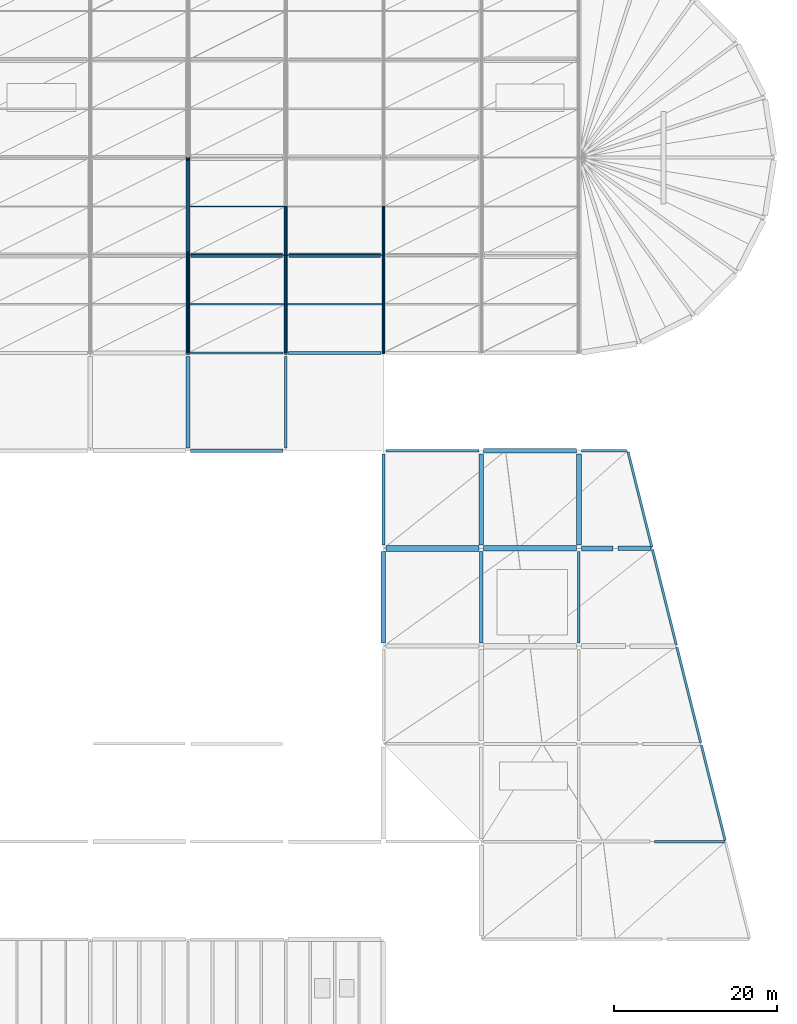
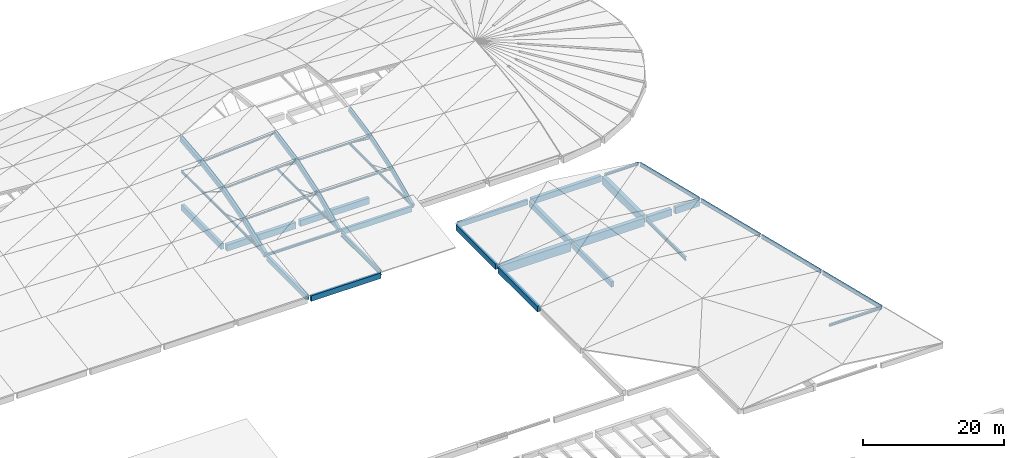
# One storey, part 13 of 23: 41 beams, 20 members.
"""IFC4 building model written with IfcOpenShell, lengths in metres."""

import ifcopenshell
import ifcopenshell.guid

model = None  # the IFC model being written
_history = None  # IfcOwnerHistory: only IFC2X3 demands one
_inside = {}  # id of a spatial element -> (the spatial element, [elements in it])
_under = {}  # id of a project, library or spatial element -> (it, [spatial elements below it])
_declared = {}  # id of a project -> (the project, [libraries it declares])
_typed = {}  # id of a type object -> (the type object, [elements of that type])
_made_of = {}  # id of a material, layer set ... -> (it, [elements and type objects made of it])


def new_model(schema):
    """Start an empty IFC model of exactly this schema.

    Asked for "IFC4X3", IfcOpenShell would pick the latest addendum, in which some entities
    have other attributes; the version numbers below select the first issue.
    IFC2X3 requires an IfcOwnerHistory on every rooted entity: one is made here for all.
    """
    global model, _history
    if schema == "IFC4X3":
        model = ifcopenshell.file(schema_version=(4, 3, 0, 0))
    else:
        model = ifcopenshell.file(schema=schema)
    _inside.clear()
    _under.clear()
    _declared.clear()
    _typed.clear()
    _made_of.clear()
    _history = None
    if model.schema == "IFC2X3":
        org = make("IfcOrganization", Name="unknown")
        user = make(
            "IfcPersonAndOrganization",
            ThePerson=make("IfcPerson", FamilyName="unknown"),
            TheOrganization=org,
        )
        app = make(
            "IfcApplication",
            ApplicationDeveloper=org,
            Version="unknown",
            ApplicationFullName="unknown",
            ApplicationIdentifier="unknown",
        )
        _history = make(
            "IfcOwnerHistory",
            OwningUser=user,
            OwningApplication=app,
            ChangeAction="ADDED",
            CreationDate=0,
        )
    return model


def make(cls, **values):
    """One entity of the class cls with the attributes given. An attribute that is None is left unset."""
    return model.create_entity(
        cls, **{name: value for name, value in values.items() if value is not None}
    )


def rooted(cls, **values):
    """An entity with a GlobalId (a new one), such as an element, a storey or a relation."""
    return make(cls, GlobalId=ifcopenshell.guid.new(), OwnerHistory=_history, **values)


def si_unit(unit_type, name, prefix=None):
    """IfcSIUnit, for example si_unit("LENGTHUNIT", "METRE", prefix="MILLI")."""
    return make("IfcSIUnit", UnitType=unit_type, Prefix=prefix, Name=name)


def assignment(units):
    """IfcUnitAssignment: the units of a project."""
    return None if units is None else make("IfcUnitAssignment", Units=units)


def point(xyz):
    """IfcCartesianPoint."""
    return None if xyz is None else make("IfcCartesianPoint", Coordinates=xyz)


def direction(xyz):
    """IfcDirection."""
    return None if xyz is None else make("IfcDirection", DirectionRatios=xyz)


def frame(location, z_axis=None, x_axis=None):
    """IfcAxis2Placement3D, a coordinate frame: its origin and axes. An axis left out is left unset."""
    return make(
        "IfcAxis2Placement3D",
        Location=point(location),
        Axis=direction(z_axis),
        RefDirection=direction(x_axis),
    )


def frame_2d(location, x_axis=None):
    """IfcAxis2Placement2D, a coordinate frame in the plane: its origin and x axis."""
    return make(
        "IfcAxis2Placement2D", Location=point(location), RefDirection=direction(x_axis)
    )


def origin():
    """The frame at (0, 0, 0) with its axes left unset."""
    return frame((0.0, 0.0, 0.0))


def origin_2d():
    """The frame at (0, 0) in the plane with its x axis left unset."""
    return frame_2d((0.0, 0.0))


def place(relative_to, where):
    """IfcLocalPlacement: puts the frame where relative to a parent placement (None: the world)."""
    return make(
        "IfcLocalPlacement", PlacementRelTo=relative_to, RelativePlacement=where
    )


def context(
    kind, dimensions, precision=None, world=None, true_north=None, identifier=None
):
    """IfcGeometricRepresentationContext, for example the 3D "Model" context."""
    return make(
        "IfcGeometricRepresentationContext",
        ContextIdentifier=identifier,
        ContextType=kind,
        CoordinateSpaceDimension=dimensions,
        Precision=precision,
        WorldCoordinateSystem=world,
        TrueNorth=true_north,
    )


def subcontext(parent, identifier, kind, view, scale=None):
    """IfcGeometricRepresentationSubContext, for example "Body" below "Model"."""
    return make(
        "IfcGeometricRepresentationSubContext",
        ContextIdentifier=identifier,
        ContextType=kind,
        ParentContext=parent,
        TargetScale=scale,
        TargetView=view,
    )


def project(units=None, contexts=None):
    """IfcProject with its units and contexts."""
    return rooted(
        "IfcProject",
        Name="project",
        RepresentationContexts=contexts,
        UnitsInContext=assignment(units),
    )


def spatial(cls, under=None, at=None, **own):
    """A site, building, storey or space (cls), placed at a placement, below another one or the project."""
    s = rooted(cls, ObjectPlacement=at, **own)
    if under is not None:
        _under.setdefault(under.id(), (under, []))[1].append(s)
    return s


def profile(cls, at=None, kind="AREA", **sizes):
    """A parametric profile (cls). Its sizes go by their IFC names, for example OverallWidth=200.0."""
    return make(cls, ProfileType=kind, Position=at, **sizes)


def rectangle(**sizes):
    """IfcRectangleProfileDef."""
    return profile("IfcRectangleProfileDef", **sizes)


def hollow_circle(**sizes):
    """IfcCircleHollowProfileDef."""
    return profile("IfcCircleHollowProfileDef", **sizes)


def i_section(**sizes):
    """IfcIShapeProfileDef."""
    return profile("IfcIShapeProfileDef", **sizes)


def extrude(swept, where, along, depth):
    """IfcExtrudedAreaSolid: the profile swept, set in the frame where, extruded along a direction by depth."""
    return make(
        "IfcExtrudedAreaSolid",
        SweptArea=swept,
        Position=where,
        ExtrudedDirection=direction(along),
        Depth=depth,
    )


def shape(context_of_items, identifier, shape_type, items):
    """IfcShapeRepresentation: the items that make up one representation, for example the "Body"."""
    return make(
        "IfcShapeRepresentation",
        ContextOfItems=context_of_items,
        RepresentationIdentifier=identifier,
        RepresentationType=shape_type,
        Items=items,
    )


def material(Name=None, Category=None):
    """IfcMaterial."""
    return make("IfcMaterial", Name=Name, Category=Category)


def material_profile(
    of_material, cross_section, Name=None, Category=None, Priority=None
):
    """IfcMaterialProfile: a cross section and its material."""
    return make(
        "IfcMaterialProfile",
        Name=Name,
        Material=of_material,
        Profile=cross_section,
        Priority=Priority,
        Category=Category,
    )


def profile_set(profiles, Name=None, composite=None):
    """IfcMaterialProfileSet."""
    return make(
        "IfcMaterialProfileSet",
        Name=Name,
        MaterialProfiles=profiles,
        CompositeProfile=composite,
    )


def made_of(thing, what):
    """Note that an element or type object is made of a material, layer set ...; save() writes the relation."""
    if what is not None:
        _made_of.setdefault(what.id(), (what, []))[1].append(thing)
    return thing


def type_object(cls, material=None, **own):
    """A type object (cls), such as IfcWallType, which elements share."""
    return made_of(rooted(cls, **own), material)


def element(
    cls,
    number,
    at=None,
    inside=None,
    cuts=None,
    type_object=None,
    material=None,
    context=None,
    identifier="Body",
    shape_type=None,
    held_by="IfcProductDefinitionShape",
    body=None,
    shapes=None,
    **own,
):
    """One element of the class cls, such as IfcWall. Its Tag is "e" and its number.

    at: its placement. inside: the storey or other place that contains it. cuts: it is an
    opening in that element (IfcRelVoidsElement). A single representation is given by context,
    identifier, shape_type and body (its items); several are given by shapes. held_by: the class
    of the entity that holds the representations. save() writes the other relations.
    """
    e = rooted(cls, Tag="e%d" % number, ObjectPlacement=at, **own)
    if body is not None:
        shapes = [shape(context, identifier, shape_type, body)]
    if shapes is not None:
        e.Representation = make(held_by, Representations=shapes)
    if inside is not None:
        _inside.setdefault(inside.id(), (inside, []))[1].append(e)
    if cuts is not None:
        rooted(
            "IfcRelVoidsElement", RelatingBuildingElement=cuts, RelatedOpeningElement=e
        )
    if type_object is not None:
        _typed.setdefault(type_object.id(), (type_object, []))[1].append(e)
    return made_of(e, material)


def aggregate(whole, parts):
    """IfcRelAggregates: a whole, such as a stair, and the parts it consists of."""
    return rooted("IfcRelAggregates", RelatingObject=whole, RelatedObjects=parts)


def save(model, path):
    """Write the relations noted so far, then the file.

    IfcRelAggregates (storeys below a building ...), IfcRelContainedInSpatialStructure (elements
    in a storey), IfcRelDefinesByType, IfcRelAssociatesMaterial and IfcRelDeclares: one each for
    every whole, place, type object, material and project.
    """
    for whole, parts in _under.values():
        aggregate(whole, parts)
    for where, things in _inside.values():
        rooted(
            "IfcRelContainedInSpatialStructure",
            RelatedElements=things,
            RelatingStructure=where,
        )
    for kind, things in _typed.values():
        rooted("IfcRelDefinesByType", RelatedObjects=things, RelatingType=kind)
    for what, things in _made_of.values():
        rooted("IfcRelAssociatesMaterial", RelatedObjects=things, RelatingMaterial=what)
    for by, libraries in _declared.values():
        rooted("IfcRelDeclares", RelatingContext=by, RelatedDefinitions=libraries)
    model.write(path)


model = new_model("IFC4")

# Units and contexts
model_context = context("Model", 3, precision=1e-05, world=origin(), true_north=direction((0.0, 1.0)))
body_context = subcontext(model_context, "Body", "Model", "MODEL_VIEW")
ifc_project = project(units=[si_unit("LENGTHUNIT", "METRE"), si_unit("AREAUNIT", "SQUARE_METRE"), si_unit("VOLUMEUNIT", "CUBIC_METRE"), si_unit("PLANEANGLEUNIT", "RADIAN"), si_unit("MASSUNIT", "GRAM", prefix="KILO")], contexts=[model_context])

# Site, building, storey
site_placement = place(None, origin())
site = spatial("IfcSite", under=ifc_project, at=site_placement, CompositionType="ELEMENT")
building_placement = place(site_placement, origin())
building = spatial("IfcBuilding", under=site, at=building_placement, Name="Kamomehara Wholesale Market", CompositionType="ELEMENT")
storey_placement = place(building_placement, frame((0.0, 0.0, 21.0)))
storey = spatial("IfcBuildingStorey", under=building, at=storey_placement, Name="RF", CompositionType="ELEMENT", Elevation=21.0)

# Beams
ifc_material_1 = material(Name="Precast concrete Fc45 (C40/50)", Category="concrete")
ifc_material_profile_1 = material_profile(ifc_material_1, rectangle(XDim=0.5, YDim=1.0, at=origin_2d()), Name="PC-GRD-500x1000")
ifc_profile_set_1 = profile_set([ifc_material_profile_1], Name="Precast concrete Fc45 (C40/50)")
beam_type_1 = type_object("IfcBeamType", Name="BM-PG1000", PredefinedType="T_BEAM", material=ifc_profile_set_1)
beam_1_placement = place(storey_placement, frame((132.0, 120.375, -15.23193359375), z_axis=(0.0, 1.0, 0.0), x_axis=(-1.0, 0.0, 0.0)))
element("IfcBeam", 1, at=beam_1_placement, inside=storey, type_object=beam_type_1, Name="Beam PG-09 RF", PredefinedType="T_BEAM", context=body_context, shape_type="SweptSolid", body=[
    extrude(rectangle(XDim=0.5, YDim=1.0, at=origin_2d()), origin(), (0.0, 0.0, 1.0), 11.25),
])
ifc_material_2 = material(Name="Precast concrete Fc45 (C40/50)", Category="concrete")
ifc_material_profile_2 = material_profile(ifc_material_2, rectangle(XDim=0.550048828125, YDim=1.050048828125, at=origin_2d()), Name="PC-GRD-550x1050")
ifc_profile_set_2 = profile_set([ifc_material_profile_2], Name="Precast concrete Fc45 (C40/50)")
beam_type_2 = type_object("IfcBeamType", Name="BM-PG1050", PredefinedType="T_BEAM", material=ifc_profile_set_2)
beam_2_placement = place(storey_placement, frame((144.375, 120.0, -15.2470703125), z_axis=(1.0, 0.0, 0.0), x_axis=(0.0, 1.0, 0.0)))
element("IfcBeam", 2, at=beam_2_placement, inside=storey, type_object=beam_type_2, Name="Beam PG-08 RF", PredefinedType="T_BEAM", context=body_context, shape_type="SweptSolid", body=[
    extrude(rectangle(XDim=0.550048828125, YDim=1.050048828125, at=origin_2d()), origin(), (0.0, 0.0, 1.0), 11.25),
])
ifc_material_3 = material(Name="Precast concrete Fc45 (C40/50)", Category="concrete")
ifc_material_profile_3 = material_profile(ifc_material_3, rectangle(XDim=0.60009765625, YDim=1.10009765625, at=origin_2d()), Name="PC-GRD-600x1100")
ifc_profile_set_3 = profile_set([ifc_material_profile_3], Name="Precast concrete Fc45 (C40/50)")
beam_type_3 = type_object("IfcBeamType", Name="BM-PG1100", PredefinedType="T_BEAM", material=ifc_profile_set_3)
beam_3_placement = place(storey_placement, frame((132.375, 120.0, -15.2919921875), z_axis=(1.0, 0.0, 0.0), x_axis=(0.0, 1.0, 0.0)))
element("IfcBeam", 3, at=beam_3_placement, inside=storey, type_object=beam_type_3, Name="Beam PG-07 RF", PredefinedType="T_BEAM", context=body_context, shape_type="SweptSolid", body=[
    extrude(rectangle(XDim=0.60009765625, YDim=1.10009765625, at=origin_2d()), origin(), (0.0, 0.0, 1.0), 11.25),
])
ifc_material_4 = material(Name="Precast concrete Fc45 (C40/50)", Category="concrete")
ifc_material_profile_4 = material_profile(ifc_material_4, rectangle(XDim=0.550048828125, YDim=1.14990234375, at=origin_2d()), Name="PC-GRD-550x1150")
ifc_profile_set_4 = profile_set([ifc_material_profile_4], Name="Precast concrete Fc45 (C40/50)")
beam_type_4 = type_object("IfcBeamType", Name="BM-PG1150", PredefinedType="T_BEAM", material=ifc_profile_set_4)
beam_4_placement = place(storey_placement, frame((184.800048828125, 84.0, -5.375), z_axis=(1.0, 0.0, 0.0), x_axis=(0.0, 1.0, 0.0)))
element("IfcBeam", 4, at=beam_4_placement, inside=storey, type_object=beam_type_4, Name="Beam PG-06 RF", PredefinedType="T_BEAM", context=body_context, shape_type="SweptSolid", body=[
    extrude(rectangle(XDim=0.550048828125, YDim=1.14990234375, at=origin_2d()), origin(), (0.0, 0.0, 1.0), 4.050048828125),
])
ifc_material_5 = material(Name="Precast concrete Fc45 (C40/50)", Category="concrete")
ifc_material_profile_5 = material_profile(ifc_material_5, rectangle(XDim=0.60009765625, YDim=1.199951171875, at=origin_2d()), Name="PC-GRD-600x1200")
ifc_profile_set_5 = profile_set([ifc_material_profile_5], Name="Precast concrete Fc45 (C40/50)")
beam_type_5 = type_object("IfcBeamType", Name="BM-PG1200", PredefinedType="T_BEAM", material=ifc_profile_set_5)
beam_5_placement = place(storey_placement, frame((180.300048828125, 84.0, -5.39990234375), z_axis=(1.0, 0.0, 0.0), x_axis=(0.0, 1.0, 0.0)))
element("IfcBeam", 5, at=beam_5_placement, inside=storey, type_object=beam_type_5, Name="Beam PG-05 RF", PredefinedType="T_BEAM", context=body_context, shape_type="SweptSolid", body=[
    extrude(rectangle(XDim=0.60009765625, YDim=1.199951171875, at=origin_2d()), origin(), (0.0, 0.0, 1.0), 3.89990234375),
])
ifc_material_6 = material(Name="Precast concrete Fc45 (C40/50)", Category="concrete")
ifc_material_profile_6 = material_profile(ifc_material_6, rectangle(XDim=0.64990234375, YDim=1.35009765625, at=origin_2d()), Name="PC-GRD-650x1350")
ifc_profile_set_6 = profile_set([ifc_material_profile_6], Name="Precast concrete Fc45 (C40/50)")
beam_type_6 = type_object("IfcBeamType", Name="BM-PG1350", PredefinedType="T_BEAM", material=ifc_profile_set_6)
beam_6_placement = place(storey_placement, frame((180.0, 84.39990234375, -5.47509765625), z_axis=(0.0, 1.0, 0.0), x_axis=(-1.0, 0.0, 0.0)))
element("IfcBeam", 6, at=beam_6_placement, inside=storey, type_object=beam_type_6, Name="Beam PG-03 RF", PredefinedType="T_BEAM", context=body_context, shape_type="SweptSolid", body=[
    extrude(rectangle(XDim=0.64990234375, YDim=1.35009765625, at=origin_2d()), origin(), (0.0, 0.0, 1.0), 11.2001953125),
])
ifc_material_7 = material(Name="Precast concrete Fc45 (C40/50)", Category="concrete")
ifc_material_profile_7 = material_profile(ifc_material_7, rectangle(XDim=0.679931640625, YDim=1.3798828125, at=origin_2d()), Name="PC-GRD-680x1380")
ifc_profile_set_7 = profile_set([ifc_material_profile_7], Name="Precast concrete Fc45 (C40/50)")
beam_type_7 = type_object("IfcBeamType", Name="BM-PG1380", PredefinedType="T_BEAM", material=ifc_profile_set_7)
beam_7_placement = place(storey_placement, frame((168.300048828125, 84.0, -5.489990234375), z_axis=(1.0, 0.0, 0.0), x_axis=(0.0, 1.0, 0.0)))
element("IfcBeam", 7, at=beam_7_placement, inside=storey, type_object=beam_type_7, Name="Beam PG-12 RF", PredefinedType="T_BEAM", context=body_context, shape_type="SweptSolid", body=[
    extrude(rectangle(XDim=0.679931640625, YDim=1.3798828125, at=origin_2d()), origin(), (0.0, 0.0, 1.0), 11.39990234375),
])
ifc_material_8 = material(Name="Precast concrete Fc45 (C40/50)", Category="concrete")
ifc_material_profile_8 = material_profile(ifc_material_8, rectangle(XDim=0.75, YDim=1.5, at=origin_2d()), Name="PC-GRD-750x1500")
ifc_profile_set_8 = profile_set([ifc_material_profile_8], Name="Precast concrete Fc45 (C40/50)")
beam_type_8 = type_object("IfcBeamType", Name="BM-PG1500", PredefinedType="T_BEAM", material=ifc_profile_set_8)
beam_8_placement = place(storey_placement, frame((156.300048828125, 84.0, -5.550048828125), z_axis=(1.0, 0.0, 0.0), x_axis=(0.0, 1.0, 0.0)))
element("IfcBeam", 8, at=beam_8_placement, inside=storey, type_object=beam_type_8, Name="Beam PG-01 RF", PredefinedType="T_BEAM", context=body_context, shape_type="SweptSolid", body=[
    extrude(rectangle(XDim=0.75, YDim=1.5, at=origin_2d()), origin(), (0.0, 0.0, 1.0), 11.39990234375),
])
ifc_material_9 = material(Name="Precast concrete Fc45 (C40/50)", Category="concrete")
ifc_material_profile_9 = material_profile(ifc_material_9, rectangle(XDim=0.449951171875, YDim=0.85009765625, at=origin_2d()), Name="PC-GRD-450x850")
ifc_profile_set_9 = profile_set([ifc_material_profile_9], Name="Precast concrete Fc45 (C40/50)")
beam_type_9 = type_object("IfcBeamType", Name="BM-PG850", PredefinedType="T_BEAM", material=ifc_profile_set_9)
beam_9_placement = place(storey_placement, frame((132.0, 96.31005859375, -9.425048828125), z_axis=(0.0, 1.0, 0.0), x_axis=(-1.0, 0.0, 0.0)))
element("IfcBeam", 9, at=beam_9_placement, inside=storey, type_object=beam_type_9, Name="Beam PG-11 RF", PredefinedType="T_BEAM", context=body_context, shape_type="SweptSolid", body=[
    extrude(rectangle(XDim=0.449951171875, YDim=0.85009765625, at=origin_2d()), origin(), (0.0, 0.0, 1.0), 11.239990234375),
])
ifc_material_10 = material(Name="Concrete Fc36 (C35/45)", Category="concrete")
ifc_material_profile_10 = material_profile(ifc_material_10, rectangle(XDim=0.39990234375, YDim=0.699951171875, at=origin_2d()), Name="RC-RIB-400x700")
ifc_profile_set_10 = profile_set([ifc_material_profile_10], Name="Concrete Fc36 (C35/45)")
beam_type_10 = type_object("IfcBeamType", Name="BM-RIB700", PredefinedType="BEAM", material=ifc_profile_set_10)
beam_10_placement = place(storey_placement, frame((156.0, 108.0, -9.219970703125), z_axis=(0.0, 0.908784493096, 0.417265796716), x_axis=(-1.0, 0.0, 0.0)))
element("IfcBeam", 10, at=beam_10_placement, inside=storey, type_object=beam_type_10, Name="Shell arch rib V1 65", PredefinedType="BEAM", context=body_context, shape_type="SweptSolid", body=[
    extrude(rectangle(XDim=0.39990234375, YDim=0.699951171875, at=origin_2d()), origin(), (0.0, 0.0, 1.0), 6.602294921875),
])
beam_11_placement = place(storey_placement, frame((156.0, 114.0, -6.465087890625), z_axis=(0.0, 0.950191818193, 0.311665700132), x_axis=(-1.0, 0.0, 0.0)))
element("IfcBeam", 11, at=beam_11_placement, inside=storey, type_object=beam_type_10, Name="Shell arch rib V1 66", PredefinedType="BEAM", context=body_context, shape_type="SweptSolid", body=[
    extrude(rectangle(XDim=0.39990234375, YDim=0.699951171875, at=origin_2d()), origin(), (0.0, 0.0, 1.0), 6.314453125),
])
beam_12_placement = place(storey_placement, frame((156.0, 120.0, -4.4970703125), z_axis=(0.0, 0.981199166637, 0.192997915508), x_axis=(-1.0, 0.0, 0.0)))
element("IfcBeam", 12, at=beam_12_placement, inside=storey, type_object=beam_type_10, Name="Shell arch rib V1 67", PredefinedType="BEAM", context=body_context, shape_type="SweptSolid", body=[
    extrude(rectangle(XDim=0.39990234375, YDim=0.699951171875, at=origin_2d()), origin(), (0.0, 0.0, 1.0), 6.114990234375),
])
ifc_material_11 = material(Name="Concrete Fc36 (C35/45)", Category="concrete")
ifc_material_profile_11 = material_profile(ifc_material_11, rectangle(XDim=0.449951171875, YDim=0.800048828125, at=origin_2d()), Name="RC-RIB-450x800")
ifc_profile_set_11 = profile_set([ifc_material_profile_11], Name="Concrete Fc36 (C35/45)")
beam_type_11 = type_object("IfcBeamType", Name="BM-RIB800", PredefinedType="BEAM", material=ifc_profile_set_11)
beam_13_placement = place(storey_placement, frame((144.0, 108.0, -9.27001953125), z_axis=(0.0, 0.908770470365, 0.417296336184), x_axis=(-1.0, 0.0, 0.0)))
element("IfcBeam", 13, at=beam_13_placement, inside=storey, type_object=beam_type_11, Name="Shell arch rib V1 57", PredefinedType="BEAM", context=body_context, shape_type="SweptSolid", body=[
    extrude(rectangle(XDim=0.449951171875, YDim=0.800048828125, at=origin_2d()), origin(), (0.0, 0.0, 1.0), 6.602294921875),
])
beam_14_placement = place(storey_placement, frame((144.0, 114.0, -6.514892578125), z_axis=(0.0, 0.950203267555, 0.311630791687), x_axis=(-1.0, 0.0, 0.0)))
element("IfcBeam", 14, at=beam_14_placement, inside=storey, type_object=beam_type_11, Name="Shell arch rib V1 58", PredefinedType="BEAM", context=body_context, shape_type="SweptSolid", body=[
    extrude(rectangle(XDim=0.449951171875, YDim=0.800048828125, at=origin_2d()), origin(), (0.0, 0.0, 1.0), 6.314453125),
])
beam_15_placement = place(storey_placement, frame((144.0, 120.0, -4.547119140625), z_axis=(0.0, 0.981199166637, 0.192997915508), x_axis=(-1.0, 0.0, 0.0)))
element("IfcBeam", 15, at=beam_15_placement, inside=storey, type_object=beam_type_11, Name="Shell arch rib V1 59", PredefinedType="BEAM", context=body_context, shape_type="SweptSolid", body=[
    extrude(rectangle(XDim=0.449951171875, YDim=0.800048828125, at=origin_2d()), origin(), (0.0, 0.0, 1.0), 6.114990234375),
])
ifc_material_12 = material(Name="Concrete Fc36 (C35/45)", Category="concrete")
ifc_material_profile_12 = material_profile(ifc_material_12, rectangle(XDim=0.5, YDim=0.85009765625, at=origin_2d()), Name="RC-RIB-500x850")
ifc_profile_set_12 = profile_set([ifc_material_profile_12], Name="Concrete Fc36 (C35/45)")
beam_type_12 = type_object("IfcBeamType", Name="BM-RIB850", PredefinedType="BEAM", material=ifc_profile_set_12)
beam_16_placement = place(storey_placement, frame((132.0, 108.0, -9.294921875), z_axis=(0.0, 0.930388439459, 0.366575165173), x_axis=(-1.0, 0.0, 0.0)))
element("IfcBeam", 16, at=beam_16_placement, inside=storey, type_object=beam_type_12, Name="Shell arch rib V1 49", PredefinedType="BEAM", context=body_context, shape_type="SweptSolid", body=[
    extrude(rectangle(XDim=0.5, YDim=0.85009765625, at=origin_2d()), origin(), (0.0, 0.0, 1.0), 6.448974609375),
])
beam_17_placement = place(storey_placement, frame((132.0, 114.0, -6.930908203125), z_axis=(0.0, 0.962630519631, 0.270818172719), x_axis=(-1.0, 0.0, 0.0)))
element("IfcBeam", 17, at=beam_17_placement, inside=storey, type_object=beam_type_12, Name="Shell arch rib V1 50", PredefinedType="BEAM", context=body_context, shape_type="SweptSolid", body=[
    extrude(rectangle(XDim=0.5, YDim=0.85009765625, at=origin_2d()), origin(), (0.0, 0.0, 1.0), 6.23291015625),
])
beam_18_placement = place(storey_placement, frame((132.0, 120.0, -5.242919921875), z_axis=(0.0, 0.986046918552, 0.166467637739), x_axis=(-1.0, 0.0, 0.0)))
element("IfcBeam", 18, at=beam_18_placement, inside=storey, type_object=beam_type_12, Name="Shell arch rib V1 51", PredefinedType="BEAM", context=body_context, shape_type="SweptSolid", body=[
    extrude(rectangle(XDim=0.5, YDim=0.85009765625, at=origin_2d()), origin(), (0.0, 0.0, 1.0), 6.0849609375),
])
beam_19_placement = place(storey_placement, frame((132.0, 126.0, -4.22998046875), z_axis=(0.0, 0.995234075156, 0.097514797077), x_axis=(-1.0, 0.0, 0.0)))
element("IfcBeam", 19, at=beam_19_placement, inside=storey, type_object=beam_type_12, Name="Shell arch rib V1 52", PredefinedType="BEAM", context=body_context, shape_type="SweptSolid", body=[
    extrude(rectangle(XDim=0.5, YDim=0.85009765625, at=origin_2d()), origin(), (0.0, 0.0, 1.0), 6.02880859375),
])
ifc_material_13 = material(Name="Concrete Fc36 (C35/45)", Category="concrete")
ifc_material_profile_13 = material_profile(ifc_material_13, rectangle(XDim=0.550048828125, YDim=1.0, at=origin_2d()), Name="RC-SEB-550x1000")
ifc_profile_set_13 = profile_set([ifc_material_profile_13], Name="Concrete Fc36 (C35/45)")
beam_type_13 = type_object("IfcBeamType", Name="BM-SEB1000-EXT", PredefinedType="SPANDREL", material=ifc_profile_set_13)
for number, where, z_axis, x_axis, name in (
    (20, (156.0, 72.39990234375, -5.300048828125), (0.0, 1.0, 0.0), (-1.0, 0.0, 0.0), "Beam SEB-03E RF"),
    (21, (168.0, 84.39990234375, -5.300048828125), (0.0, 1.0, 0.0), (-1.0, 0.0, 0.0), "Beam SEB-03E RF"),
):
    element("IfcBeam", number, at=place(storey_placement, frame(where, z_axis=z_axis, x_axis=x_axis)), inside=storey, type_object=beam_type_13, Name=name, PredefinedType="SPANDREL", context=body_context, shape_type="SweptSolid", body=[
        extrude(rectangle(XDim=0.550048828125, YDim=1.0, at=origin_2d()), origin(), (0.0, 0.0, 1.0), 11.2001953125),
    ])
beam_20_placement = place(storey_placement, frame((168.300048828125, 96.0, -5.300048828125), z_axis=(1.0, 0.0, 0.0), x_axis=(0.0, 1.0, 0.0)))
element("IfcBeam", 22, at=beam_20_placement, inside=storey, type_object=beam_type_13, Name="Beam SEB-03E RF", PredefinedType="SPANDREL", context=body_context, shape_type="SweptSolid", body=[
    extrude(rectangle(XDim=0.550048828125, YDim=1.0, at=origin_2d()), origin(), (0.0, 0.0, 1.0), 11.39990234375),
])
ifc_material_14 = material(Name="Precast concrete Fc45 (C40/50)", Category="concrete")
ifc_material_profile_14 = material_profile(ifc_material_14, rectangle(XDim=0.35009765625, YDim=0.85009765625, at=origin_2d()), Name="PC-SPN-350x850")
ifc_profile_set_14 = profile_set([ifc_material_profile_14], Name="Precast concrete Fc45 (C40/50)")
beam_type_14 = type_object("IfcBeamType", Name="BM-SPN850-EXT", PredefinedType="SPANDREL", material=ifc_profile_set_14)
beam_21_placement = place(storey_placement, frame((156.300048828125, 96.0, -5.22509765625), z_axis=(1.0, 0.0, 0.0), x_axis=(0.0, 1.0, 0.0)))
element("IfcBeam", 23, at=beam_21_placement, inside=storey, type_object=beam_type_14, Name="Beam SPN-02E RF", PredefinedType="SPANDREL", context=body_context, shape_type="SweptSolid", body=[
    extrude(rectangle(XDim=0.35009765625, YDim=0.85009765625, at=origin_2d()), origin(), (0.0, 0.0, 1.0), 11.39990234375),
])
ifc_material_15 = material(Name="Precast concrete Fc45 (C40/50)", Category="concrete")
ifc_material_profile_15 = material_profile(ifc_material_15, rectangle(XDim=0.39990234375, YDim=0.949951171875, at=origin_2d()), Name="PC-SPN-400x950")
ifc_profile_set_15 = profile_set([ifc_material_profile_15], Name="Precast concrete Fc45 (C40/50)")
beam_type_15 = type_object("IfcBeamType", Name="BM-SPN950-EXT", PredefinedType="SPANDREL", material=ifc_profile_set_15)
beam_22_placement = place(storey_placement, frame((132.31005859375, 96.0, -9.47509765625), z_axis=(1.0, 0.0, 0.0), x_axis=(0.0, 1.0, 0.0)))
element("IfcBeam", 24, at=beam_22_placement, inside=storey, type_object=beam_type_15, Name="Beam SPN-01E RF", PredefinedType="SPANDREL", context=body_context, shape_type="SweptSolid", body=[
    extrude(rectangle(XDim=0.39990234375, YDim=0.949951171875, at=origin_2d()), origin(), (0.0, 0.0, 1.0), 11.3798828125),
])
beam_23_placement = place(storey_placement, frame((144.324951171875, 108.0, -9.47509765625), z_axis=(1.0, 0.0, 0.0), x_axis=(0.0, 1.0, 0.0)))
element("IfcBeam", 25, at=beam_23_placement, inside=storey, type_object=beam_type_15, Name="Beam SPN-01E RF", PredefinedType="SPANDREL", context=body_context, shape_type="SweptSolid", body=[
    extrude(rectangle(XDim=0.39990234375, YDim=0.949951171875, at=origin_2d()), origin(), (0.0, 0.0, 1.0), 11.35009765625),
])
for number, where, z_axis, x_axis, name in (
    (26, (168.0, 72.39990234375, -5.27490234375), (0.0, 1.0, 0.0), (-1.0, 0.0, 0.0), "Beam SPN-01E RF"),
    (27, (156.0, 84.39990234375, -5.27490234375), (0.0, 1.0, 0.0), (-1.0, 0.0, 0.0), "Beam SPN-01E RF"),
):
    element("IfcBeam", number, at=place(storey_placement, frame(where, z_axis=z_axis, x_axis=x_axis)), inside=storey, type_object=beam_type_15, Name=name, PredefinedType="SPANDREL", context=body_context, shape_type="SweptSolid", body=[
        extrude(rectangle(XDim=0.39990234375, YDim=0.949951171875, at=origin_2d()), origin(), (0.0, 0.0, 1.0), 11.2001953125),
    ])
ifc_material_16 = material(Name="Steel SN400B", Category="steel")
ifc_material_profile_16 = material_profile(ifc_material_16, i_section(OverallWidth=0.14990234375, OverallDepth=0.300048828125, WebThickness=0.006591796875, FlangeThickness=0.009033203125, FilletRadius=0.012939453125, at=origin_2d()), Name="H-300x150x6.5x9")
ifc_profile_set_16 = profile_set([ifc_material_profile_16], Name="Steel SN400B")
beam_type_16 = type_object("IfcBeamType", Name="BM-ST-H300", PredefinedType="JOIST", material=ifc_profile_set_16)
beam_24_placement = place(storey_placement, frame((132.0, 114.0, -6.696044921875), z_axis=(0.999469278357, 0.0, 0.032575475747), x_axis=(0.0, 1.0, 0.0)))
element("IfcBeam", 28, at=beam_24_placement, inside=storey, type_object=beam_type_16, Name="Shell longitudinal purlin V1 43", PredefinedType="JOIST", context=body_context, shape_type="SweptSolid", body=[
    extrude(i_section(OverallWidth=0.14990234375, OverallDepth=0.300048828125, WebThickness=0.006591796875, FlangeThickness=0.009033203125, FilletRadius=0.012939453125, at=origin_2d()), origin(), (0.0, 0.0, 1.0), 12.00634765625),
])
beam_25_placement = place(storey_placement, frame((132.0, 120.0, -5.008056640625), z_axis=(0.998439658361, 0.0, 0.055841280535), x_axis=(0.0, 1.0, 0.0)))
element("IfcBeam", 29, at=beam_25_placement, inside=storey, type_object=beam_type_16, Name="Shell longitudinal purlin V1 44", PredefinedType="JOIST", context=body_context, shape_type="SweptSolid", body=[
    extrude(i_section(OverallWidth=0.14990234375, OverallDepth=0.300048828125, WebThickness=0.006591796875, FlangeThickness=0.009033203125, FilletRadius=0.012939453125, at=origin_2d()), origin(), (0.0, 0.0, 1.0), 12.018798828125),
])
beam_26_placement = place(storey_placement, frame((132.0, 126.0, -3.9951171875), z_axis=(0.997569756374, 0.0, 0.069674824496), x_axis=(0.0, 1.0, 0.0)))
element("IfcBeam", 30, at=beam_26_placement, inside=storey, type_object=beam_type_16, Name="Shell longitudinal purlin V1 45", PredefinedType="JOIST", context=body_context, shape_type="SweptSolid", body=[
    extrude(i_section(OverallWidth=0.14990234375, OverallDepth=0.300048828125, WebThickness=0.006591796875, FlangeThickness=0.009033203125, FilletRadius=0.012939453125, at=origin_2d()), origin(), (0.0, 0.0, 1.0), 12.029296875),
])
for number, where, z_axis, x_axis, name in (
    (31, (144.0, 114.0, -6.304931640625), (1.0, 0.0, 0.0), (0.0, 1.0, 0.0), "Shell longitudinal purlin V1 50"),
    (32, (144.0, 120.0, -4.3369140625), (1.0, 0.0, 0.0), (0.0, 1.0, 0.0), "Shell longitudinal purlin V1 51"),
):
    element("IfcBeam", number, at=place(storey_placement, frame(where, z_axis=z_axis, x_axis=x_axis)), inside=storey, type_object=beam_type_16, Name=name, PredefinedType="JOIST", context=body_context, shape_type="SweptSolid", body=[
        extrude(i_section(OverallWidth=0.14990234375, OverallDepth=0.300048828125, WebThickness=0.006591796875, FlangeThickness=0.009033203125, FilletRadius=0.012939453125, at=origin_2d()), origin(), (0.0, 0.0, 1.0), 12.0),
    ])
ifc_material_17 = material(Name="Steel SN490B", Category="steel")
ifc_material_profile_17 = material_profile(ifc_material_17, i_section(OverallWidth=0.300048828125, OverallDepth=0.389892578125, WebThickness=0.010009765625, FlangeThickness=0.01611328125, FilletRadius=0.01806640625, at=origin_2d()), Name="H-390x300x10x16")
ifc_profile_set_17 = profile_set([ifc_material_profile_17], Name="Steel SN490B")
beam_type_17 = type_object("IfcBeamType", Name="BM-ST-H390-EXT", PredefinedType="SPANDREL", material=ifc_profile_set_17)
beam_27_placement = place(storey_placement, frame((132.324951171875, 108.0, -9.195068359375), z_axis=(1.0, 0.0, 0.0), x_axis=(0.0, 1.0, 0.0)))
element("IfcBeam", 33, at=beam_27_placement, inside=storey, type_object=beam_type_17, Name="Beam SJ-03E RF", PredefinedType="SPANDREL", context=body_context, shape_type="SweptSolid", body=[
    extrude(i_section(OverallWidth=0.300048828125, OverallDepth=0.389892578125, WebThickness=0.010009765625, FlangeThickness=0.01611328125, FilletRadius=0.01806640625, at=origin_2d()), origin(), (0.0, 0.0, 1.0), 11.35009765625),
])
beam_28_placement = place(storey_placement, frame((189.300048828125, 48.0, -4.9951171875), z_axis=(1.0, 0.0, 0.0), x_axis=(0.0, 1.0, 0.0)))
element("IfcBeam", 34, at=beam_28_placement, inside=storey, type_object=beam_type_17, Name="Beam SJ-03E RF", PredefinedType="SPANDREL", context=body_context, shape_type="SweptSolid", body=[
    extrude(i_section(OverallWidth=0.300048828125, OverallDepth=0.389892578125, WebThickness=0.010009765625, FlangeThickness=0.01611328125, FilletRadius=0.01806640625, at=origin_2d()), origin(), (0.0, 0.0, 1.0), 8.550048828125),
])
beam_29_placement = place(storey_placement, frame((180.300048828125, 96.0, -4.9951171875), z_axis=(1.0, 0.0, 0.0), x_axis=(0.0, 1.0, 0.0)))
element("IfcBeam", 35, at=beam_29_placement, inside=storey, type_object=beam_type_17, Name="Beam SJ-03E RF", PredefinedType="SPANDREL", context=body_context, shape_type="SweptSolid", body=[
    extrude(i_section(OverallWidth=0.300048828125, OverallDepth=0.389892578125, WebThickness=0.010009765625, FlangeThickness=0.01611328125, FilletRadius=0.01806640625, at=origin_2d()), origin(), (0.0, 0.0, 1.0), 5.550048828125),
])
ifc_material_18 = material(Name="Steel SN490B", Category="steel")
ifc_material_profile_18 = material_profile(ifc_material_18, i_section(OverallWidth=0.300048828125, OverallDepth=0.58203125, WebThickness=0.011962890625, FlangeThickness=0.01708984375, FilletRadius=0.02197265625, at=origin_2d()), Name="H-582x300x12x17")
ifc_profile_set_18 = profile_set([ifc_material_profile_18], Name="Steel SN490B")
beam_type_18 = type_object("IfcBeamType", Name="BM-ST-H582", PredefinedType="BEAM", material=ifc_profile_set_18)
beam_30_placement = place(storey_placement, frame((180.0, 72.39990234375, -5.091064453125), z_axis=(0.0, 1.0, 0.0), x_axis=(-1.0, 0.0, 0.0)))
element("IfcBeam", 36, at=beam_30_placement, inside=storey, type_object=beam_type_18, Name="Beam SG-10 RF", PredefinedType="BEAM", context=body_context, shape_type="SweptSolid", body=[
    extrude(i_section(OverallWidth=0.300048828125, OverallDepth=0.58203125, WebThickness=0.011962890625, FlangeThickness=0.01708984375, FilletRadius=0.02197265625, at=origin_2d()), origin(), (0.0, 0.0, 1.0), 11.2001953125),
])
ifc_material_19 = material(Name="Steel SN490B", Category="steel")
ifc_material_profile_19 = material_profile(ifc_material_19, i_section(OverallWidth=0.300048828125, OverallDepth=0.587890625, WebThickness=0.011962890625, FlangeThickness=0.02001953125, FilletRadius=0.02197265625, at=origin_2d()), Name="H-588x300x12x20")
ifc_profile_set_19 = profile_set([ifc_material_profile_19], Name="Steel SN490B")
beam_type_19 = type_object("IfcBeamType", Name="BM-ST-H588-EXT", PredefinedType="BEAM", material=ifc_profile_set_19)
for number, where, z_axis, x_axis, name in (
    (37, (197.964111328125, 48.14599609375, -5.093994140625), (-0.242630820809, 0.97011869624, 0.0), (-0.97011869624, -0.242630820809, 0.0), "Beam SG-06E RF"),
    (38, (194.964111328125, 60.14599609375, -5.093994140625), (-0.242630820809, 0.97011869624, 0.0), (-0.97011869624, -0.242630820809, 0.0), "Beam SG-06E RF"),
    (39, (191.964111328125, 72.14599609375, -5.093994140625), (-0.242630820809, 0.97011869624, 0.0), (-0.97011869624, -0.242630820809, 0.0), "Beam SG-06E RF"),
    (40, (188.964111328125, 84.14599609375, -5.093994140625), (-0.242630820809, 0.97011869624, 0.0), (-0.97011869624, -0.242630820809, 0.0), "Beam SG-06E RF"),
):
    element("IfcBeam", number, at=place(storey_placement, frame(where, z_axis=z_axis, x_axis=x_axis)), inside=storey, type_object=beam_type_19, Name=name, PredefinedType="BEAM", context=body_context, shape_type="SweptSolid", body=[
        extrude(i_section(OverallWidth=0.300048828125, OverallDepth=0.587890625, WebThickness=0.011962890625, FlangeThickness=0.02001953125, FilletRadius=0.02197265625, at=origin_2d()), origin(), (0.0, 0.0, 1.0), 12.068603515625),
    ])
ifc_material_20 = material(Name="Steel SN490B", Category="steel")
ifc_material_profile_20 = material_profile(ifc_material_20, i_section(OverallWidth=0.300048828125, OverallDepth=0.800048828125, WebThickness=0.013916015625, FlangeThickness=0.02587890625, FilletRadius=0.02392578125, at=origin_2d()), Name="H-800x300x14x26")
ifc_profile_set_20 = profile_set([ifc_material_profile_20], Name="Steel SN490B")
beam_type_20 = type_object("IfcBeamType", Name="BM-ST-H800", PredefinedType="BEAM", material=ifc_profile_set_20)
beam_31_placement = place(storey_placement, frame((144.0, 96.31005859375, -9.39990234375), z_axis=(0.0, 1.0, 0.0), x_axis=(-1.0, 0.0, 0.0)))
element("IfcBeam", 41, at=beam_31_placement, inside=storey, type_object=beam_type_20, Name="Beam SG-02 RF", PredefinedType="BEAM", context=body_context, shape_type="SweptSolid", body=[
    extrude(i_section(OverallWidth=0.300048828125, OverallDepth=0.800048828125, WebThickness=0.013916015625, FlangeThickness=0.02587890625, FilletRadius=0.02392578125, at=origin_2d()), origin(), (0.0, 0.0, 1.0), 11.239990234375),
])

# Members
ifc_material_21 = material(Name="Steel SN490B", Category="steel")
ifc_material_profile_21 = material_profile(ifc_material_21, hollow_circle(Radius=0.08251953125, WallThickness=0.007080078125, at=origin_2d()), Name="CHS-165.2x7.1")
ifc_profile_set_21 = profile_set([ifc_material_profile_21], Name="Steel SN490B")
member_type_1 = type_object("IfcMemberType", Name="MEM-BR-CHS165", PredefinedType="BRACE", material=ifc_profile_set_21)
member_1_placement = place(storey_placement, frame((132.0, 114.0, -9.25), z_axis=(0.0, -0.997786235602, 0.066502842363), x_axis=(1.0, 0.0, 0.0)))
element("IfcMember", 42, at=member_1_placement, inside=storey, type_object=member_type_1, Name="Arch truss diagonal A V1 49", PredefinedType="BRACE", context=body_context, shape_type="SweptSolid", body=[
    extrude(hollow_circle(Radius=0.08251953125, WallThickness=0.007080078125, at=origin_2d()), origin(), (0.0, 0.0, 1.0), 6.013427734375),
])
member_2_placement = place(storey_placement, frame((132.0, 120.0, -9.25), z_axis=(0.0, -0.947777010748, 0.318933751582), x_axis=(1.0, 0.0, 0.0)))
element("IfcMember", 43, at=member_2_placement, inside=storey, type_object=member_type_1, Name="Arch truss diagonal A V1 50", PredefinedType="BRACE", context=body_context, shape_type="SweptSolid", body=[
    extrude(hollow_circle(Radius=0.08251953125, WallThickness=0.007080078125, at=origin_2d()), origin(), (0.0, 0.0, 1.0), 6.33056640625),
])
member_3_placement = place(storey_placement, frame((132.0, 126.0, -9.25), z_axis=(0.0, -0.850725158831, 0.525610791491), x_axis=(1.0, 0.0, 0.0)))
element("IfcMember", 44, at=member_3_placement, inside=storey, type_object=member_type_1, Name="Arch truss diagonal A V1 51", PredefinedType="BRACE", context=body_context, shape_type="SweptSolid", body=[
    extrude(hollow_circle(Radius=0.08251953125, WallThickness=0.007080078125, at=origin_2d()), origin(), (0.0, 0.0, 1.0), 7.052734375),
])
member_4_placement = place(storey_placement, frame((132.0, 132.0, -9.25), z_axis=(0.0, -0.785956429227, 0.618281886648), x_axis=(1.0, 0.0, 0.0)))
element("IfcMember", 45, at=member_4_placement, inside=storey, type_object=member_type_1, Name="Arch truss diagonal A V1 52", PredefinedType="BRACE", context=body_context, shape_type="SweptSolid", body=[
    extrude(hollow_circle(Radius=0.08251953125, WallThickness=0.007080078125, at=origin_2d()), origin(), (0.0, 0.0, 1.0), 7.634033203125),
])
member_5_placement = place(storey_placement, frame((144.0, 114.0, -9.25), z_axis=(0.0, -0.997786235602, 0.066502842363), x_axis=(1.0, 0.0, 0.0)))
element("IfcMember", 46, at=member_5_placement, inside=storey, type_object=member_type_1, Name="Arch truss diagonal A V1 57", PredefinedType="BRACE", context=body_context, shape_type="SweptSolid", body=[
    extrude(hollow_circle(Radius=0.08251953125, WallThickness=0.007080078125, at=origin_2d()), origin(), (0.0, 0.0, 1.0), 6.013427734375),
])
member_6_placement = place(storey_placement, frame((144.0, 120.0, -9.25), z_axis=(0.0, -0.926597992532, 0.376053400778), x_axis=(1.0, 0.0, 0.0)))
element("IfcMember", 47, at=member_6_placement, inside=storey, type_object=member_type_1, Name="Arch truss diagonal A V1 58", PredefinedType="BRACE", context=body_context, shape_type="SweptSolid", body=[
    extrude(hollow_circle(Radius=0.08251953125, WallThickness=0.007080078125, at=origin_2d()), origin(), (0.0, 0.0, 1.0), 6.475341796875),
])
member_7_placement = place(storey_placement, frame((144.0, 126.0, -9.25), z_axis=(0.0, -0.80620783854, 0.591632420576), x_axis=(1.0, 0.0, 0.0)))
element("IfcMember", 48, at=member_7_placement, inside=storey, type_object=member_type_1, Name="Arch truss diagonal A V1 59", PredefinedType="BRACE", context=body_context, shape_type="SweptSolid", body=[
    extrude(hollow_circle(Radius=0.08251953125, WallThickness=0.007080078125, at=origin_2d()), origin(), (0.0, 0.0, 1.0), 7.442138671875),
])
member_8_placement = place(storey_placement, frame((156.0, 114.0, -9.25), z_axis=(0.0, -0.997786235602, 0.066502842363), x_axis=(1.0, 0.0, 0.0)))
element("IfcMember", 49, at=member_8_placement, inside=storey, type_object=member_type_1, Name="Arch truss diagonal A V1 65", PredefinedType="BRACE", context=body_context, shape_type="SweptSolid", body=[
    extrude(hollow_circle(Radius=0.08251953125, WallThickness=0.007080078125, at=origin_2d()), origin(), (0.0, 0.0, 1.0), 6.013427734375),
])
member_9_placement = place(storey_placement, frame((156.0, 120.0, -9.25), z_axis=(0.0, -0.923889002314, 0.38266056944), x_axis=(1.0, 0.0, 0.0)))
element("IfcMember", 50, at=member_9_placement, inside=storey, type_object=member_type_1, Name="Arch truss diagonal A V1 66", PredefinedType="BRACE", context=body_context, shape_type="SweptSolid", body=[
    extrude(hollow_circle(Radius=0.08251953125, WallThickness=0.007080078125, at=origin_2d()), origin(), (0.0, 0.0, 1.0), 6.494384765625),
])
member_10_placement = place(storey_placement, frame((156.0, 126.0, -9.25), z_axis=(0.0, -0.803016816128, 0.595956368382), x_axis=(1.0, 0.0, 0.0)))
element("IfcMember", 51, at=member_10_placement, inside=storey, type_object=member_type_1, Name="Arch truss diagonal A V1 67", PredefinedType="BRACE", context=body_context, shape_type="SweptSolid", body=[
    extrude(hollow_circle(Radius=0.08251953125, WallThickness=0.007080078125, at=origin_2d()), origin(), (0.0, 0.0, 1.0), 7.471923828125),
])
ifc_material_22 = material(Name="Steel SN490B", Category="steel")
ifc_material_profile_22 = material_profile(ifc_material_22, i_section(OverallWidth=0.175048828125, OverallDepth=0.35009765625, WebThickness=0.007080078125, FlangeThickness=0.010986328125, FilletRadius=0.012939453125, at=origin_2d()), Name="H-350x175x7x11")
ifc_profile_set_22 = profile_set([ifc_material_profile_22], Name="Steel SN490B")
member_type_2 = type_object("IfcMemberType", Name="MEM-CH-H350", PredefinedType="CHORD", material=ifc_profile_set_22)
for number, where, z_axis, x_axis, name in (
    (52, (144.0, 108.0, -9.25), (0.0, 1.0, 0.0), (-1.0, 0.0, 0.0), "Arch tie chord V1 57"),
    (53, (144.0, 114.0, -9.25), (0.0, 1.0, 0.0), (-1.0, 0.0, 0.0), "Arch tie chord V1 58"),
    (54, (144.0, 120.0, -9.25), (0.0, 1.0, 0.0), (-1.0, 0.0, 0.0), "Arch tie chord V1 59"),
):
    element("IfcMember", number, at=place(storey_placement, frame(where, z_axis=z_axis, x_axis=x_axis)), inside=storey, type_object=member_type_2, Name=name, PredefinedType="CHORD", context=body_context, shape_type="SweptSolid", body=[
        extrude(i_section(OverallWidth=0.175048828125, OverallDepth=0.35009765625, WebThickness=0.007080078125, FlangeThickness=0.010986328125, FilletRadius=0.012939453125, at=origin_2d()), origin(), (0.0, 0.0, 1.0), 6.0),
    ])
ifc_material_23 = material(Name="Steel SN490B", Category="steel")
ifc_material_profile_23 = material_profile(ifc_material_23, i_section(OverallWidth=0.199951171875, OverallDepth=0.39990234375, WebThickness=0.008056640625, FlangeThickness=0.012939453125, FilletRadius=0.012939453125, at=origin_2d()), Name="H-400x200x8x13")
ifc_profile_set_23 = profile_set([ifc_material_profile_23], Name="Steel SN490B")
member_type_3 = type_object("IfcMemberType", Name="MEM-CH-H400", PredefinedType="CHORD", material=ifc_profile_set_23)
for number, where, z_axis, x_axis, name in (
    (55, (132.0, 108.0, -9.25), (0.0, 1.0, 0.0), (-1.0, 0.0, 0.0), "Arch tie chord V1 49"),
    (56, (132.0, 114.0, -9.25), (0.0, 1.0, 0.0), (-1.0, 0.0, 0.0), "Arch tie chord V1 50"),
    (57, (132.0, 120.0, -9.25), (0.0, 1.0, 0.0), (-1.0, 0.0, 0.0), "Arch tie chord V1 51"),
    (58, (132.0, 126.0, -9.25), (0.0, 1.0, 0.0), (-1.0, 0.0, 0.0), "Arch tie chord V1 52"),
    (59, (156.0, 108.0, -9.25), (0.0, 1.0, 0.0), (-1.0, 0.0, 0.0), "Arch tie chord V1 65"),
    (60, (156.0, 114.0, -9.25), (0.0, 1.0, 0.0), (-1.0, 0.0, 0.0), "Arch tie chord V1 66"),
    (61, (156.0, 120.0, -9.25), (0.0, 1.0, 0.0), (-1.0, 0.0, 0.0), "Arch tie chord V1 67"),
):
    element("IfcMember", number, at=place(storey_placement, frame(where, z_axis=z_axis, x_axis=x_axis)), inside=storey, type_object=member_type_3, Name=name, PredefinedType="CHORD", context=body_context, shape_type="SweptSolid", body=[
        extrude(i_section(OverallWidth=0.199951171875, OverallDepth=0.39990234375, WebThickness=0.008056640625, FlangeThickness=0.012939453125, FilletRadius=0.012939453125, at=origin_2d()), origin(), (0.0, 0.0, 1.0), 6.0),
    ])

save(model, "model.ifc")
